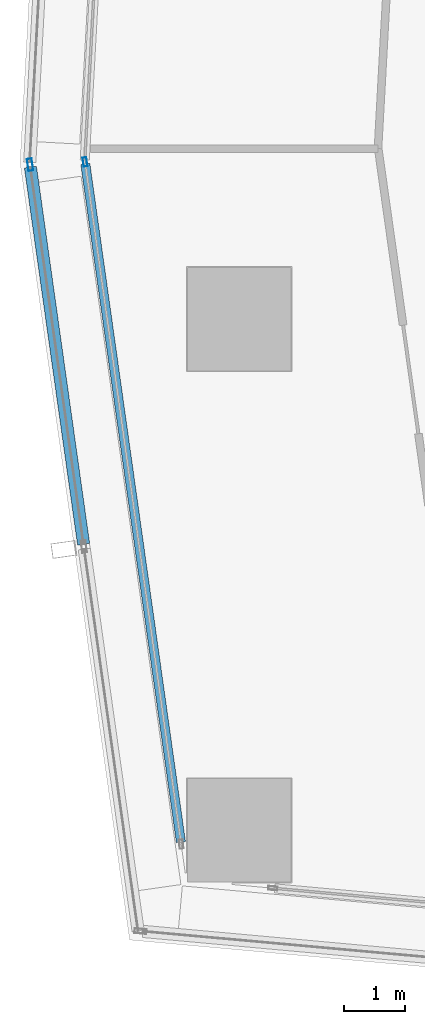
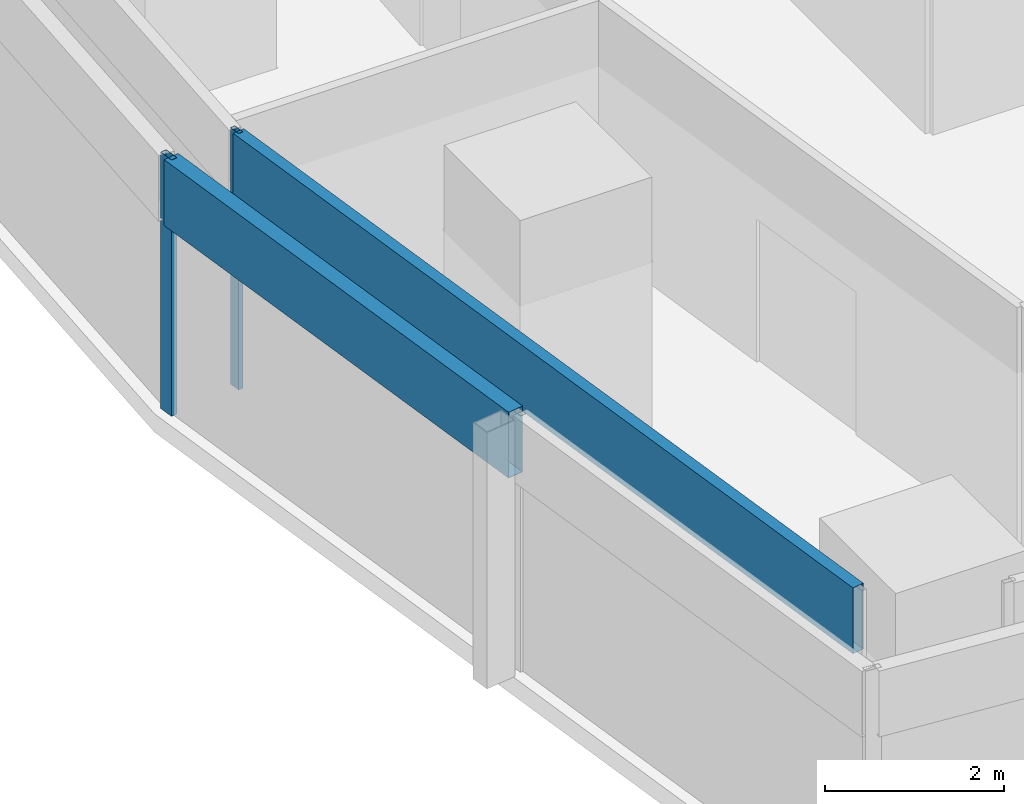
# One storey, part 4 of 40: 4 members, 2 elements without a shape of their own.
"""IFC4 building model written with IfcOpenShell, lengths in metres."""

from ifc_helpers import new_model, si_unit, direction, frame, origin, origin_2d, place, context, subcontext, project, spatial, hollow_rectangle, extrude, material, material_profile, profile_set, type_object, element, aggregate, save


model = new_model("IFC4")

# Units and contexts
model_context = context("Model", 3, precision=1e-05, world=origin(), true_north=direction((0.0, 1.0)))
body_context = subcontext(model_context, "Body", "Model", "MODEL_VIEW")
ifc_project = project(units=[si_unit("LENGTHUNIT", "METRE"), si_unit("AREAUNIT", "SQUARE_METRE"), si_unit("VOLUMEUNIT", "CUBIC_METRE"), si_unit("PLANEANGLEUNIT", "RADIAN"), si_unit("MASSUNIT", "GRAM", prefix="KILO")], contexts=[model_context])

# Site, building, storey
site_placement = place(None, origin())
site = spatial("IfcSite", under=ifc_project, at=site_placement, CompositionType="ELEMENT")
building_placement = place(site_placement, origin())
building = spatial("IfcBuilding", under=site, at=building_placement, Name="Rekha Terrace Tower", CompositionType="ELEMENT")
storey_placement = place(building_placement, frame((0.0, 0.0, 117.800048828125)))
storey = spatial("IfcBuildingStorey", under=building, at=storey_placement, Name="L29", CompositionType="ELEMENT", Elevation=117.800048828125)

# Curtain wall, members
ifc_material_1 = material(Name="Aluminium framing", Category="aluminium")
curtain_wall_type_1 = type_object("IfcCurtainWallType", Name="CW1 double skin inner glazing", PredefinedType="USERDEFINED", material=ifc_material_1)
curtain_wall_1_placement = place(storey_placement, origin())
curtain_wall_1 = element("IfcCurtainWall", 1, at=curtain_wall_1_placement, inside=storey, type_object=curtain_wall_type_1, Name="CW1 double skin inner glazing", ObjectType="DOUBLE SKIN INNER GLAZING", PredefinedType="USERDEFINED")
ifc_material_2 = material(Name="Aluminium mullion section", Category="aluminium")
ifc_material_profile_1 = material_profile(ifc_material_2, hollow_rectangle(XDim=0.06494140625, YDim=0.14990234375, WallThickness=0.00390625, at=origin_2d()), Name="AL RHS 65x150")
ifc_profile_set_1 = profile_set([ifc_material_profile_1], Name="Aluminium mullion section")
member_type_1 = type_object("IfcMemberType", Name="CW1 mullion RHS 65 x 150", PredefinedType="MULLION", material=ifc_profile_set_1)
member_1_placement = place(storey_placement, frame((5.86865234375, 27.78125, 0.0), z_axis=(0.0, 0.0, 1.0), x_axis=(0.990208394312, 0.139597048082, 0.0)))
member_1 = element("IfcMember", 2, at=member_1_placement, type_object=member_type_1, Name="CW1 mullion 1", PredefinedType="MULLION", context=body_context, shape_type="SweptSolid", body=[
    extrude(hollow_rectangle(XDim=0.06494140625, YDim=0.14990234375, WallThickness=0.00390625, at=origin_2d()), origin(), (0.0, 0.0, 1.0), 3.5),
])
ifc_material_3 = material(Name="Insulated aluminium spandrel box", Category="aluminium")
ifc_material_profile_2 = material_profile(ifc_material_3, hollow_rectangle(XDim=0.14990234375, YDim=0.89990234375, WallThickness=0.0029296875, at=origin_2d()), Name="AL SPANDREL BOX 150x900")
ifc_profile_set_2 = profile_set([ifc_material_profile_2], Name="Insulated aluminium spandrel box")
member_type_2 = type_object("IfcMemberType", Name="CW1 spandrel transom 150 x 900", PredefinedType="USERDEFINED", material=ifc_profile_set_2)
member_2_placement = place(storey_placement, frame((5.873046875, 27.7490234375, 3.050048828125), z_axis=(0.139607844155, -0.99020687225, 0.0), x_axis=(0.99020687225, 0.139607844155, 0.0)))
member_2 = element("IfcMember", 3, at=member_2_placement, type_object=member_type_2, Name="CW1 spandrel transom 1", ObjectType="TRANSOM", PredefinedType="USERDEFINED", context=body_context, shape_type="SweptSolid", body=[
    extrude(hollow_rectangle(XDim=0.14990234375, YDim=0.89990234375, WallThickness=0.0029296875, at=origin_2d()), origin(), (0.0, 0.0, 1.0), 11.253173828125),
])
aggregate(curtain_wall_1, [member_1, member_2])

curtain_wall_type_2 = type_object("IfcCurtainWallType", Name="CW2 double skin outer glazing", PredefinedType="USERDEFINED", material=ifc_material_1)
curtain_wall_2_placement = place(storey_placement, origin())
curtain_wall_2 = element("IfcCurtainWall", 4, at=curtain_wall_2_placement, inside=storey, type_object=curtain_wall_type_2, Name="CW2 double skin outer glazing", ObjectType="DOUBLE SKIN OUTER GLAZING", PredefinedType="USERDEFINED")
ifc_material_profile_3 = material_profile(ifc_material_2, hollow_rectangle(XDim=0.080078125, YDim=0.199951171875, WallThickness=0.00390625, at=origin_2d()), Name="AL RHS 80x200")
ifc_profile_set_3 = profile_set([ifc_material_profile_3], Name="Aluminium mullion section")
member_type_3 = type_object("IfcMemberType", Name="CW2 mullion RHS 80 x 200", PredefinedType="MULLION", material=ifc_profile_set_3)
member_3_placement = place(storey_placement, frame((4.96630859375, 27.7353515625, 0.0), z_axis=(0.0, 0.0, 1.0), x_axis=(0.990208394312, 0.139597048082, 0.0)))
member_3 = element("IfcMember", 5, at=member_3_placement, type_object=member_type_3, Name="CW2 mullion 1", PredefinedType="MULLION", context=body_context, shape_type="SweptSolid", body=[
    extrude(hollow_rectangle(XDim=0.080078125, YDim=0.199951171875, WallThickness=0.00390625, at=origin_2d()), origin(), (0.0, 0.0, 1.0), 3.5),
])
ifc_material_profile_4 = material_profile(ifc_material_3, hollow_rectangle(XDim=0.199951171875, YDim=0.89990234375, WallThickness=0.0029296875, at=origin_2d()), Name="AL SPANDREL BOX 200x900")
ifc_profile_set_4 = profile_set([ifc_material_profile_4], Name="Insulated aluminium spandrel box")
member_type_4 = type_object("IfcMemberType", Name="CW2 spandrel transom 200 x 900", PredefinedType="USERDEFINED", material=ifc_profile_set_4)
member_4_placement = place(storey_placement, frame((4.9716796875, 27.695556640625, 3.050048828125), z_axis=(0.139596256865, -0.990208505856, 0.0), x_axis=(0.990208505856, 0.139596256865, 0.0)))
member_4 = element("IfcMember", 6, at=member_4_placement, type_object=member_type_4, Name="CW2 spandrel transom 1", ObjectType="TRANSOM", PredefinedType="USERDEFINED", context=body_context, shape_type="SweptSolid", body=[
    extrude(hollow_rectangle(XDim=0.199951171875, YDim=0.89990234375, WallThickness=0.0029296875, at=origin_2d()), origin(), (0.0, 0.0, 1.0), 6.255859375),
])
aggregate(curtain_wall_2, [member_3, member_4])

save(model, "model.ifc")
